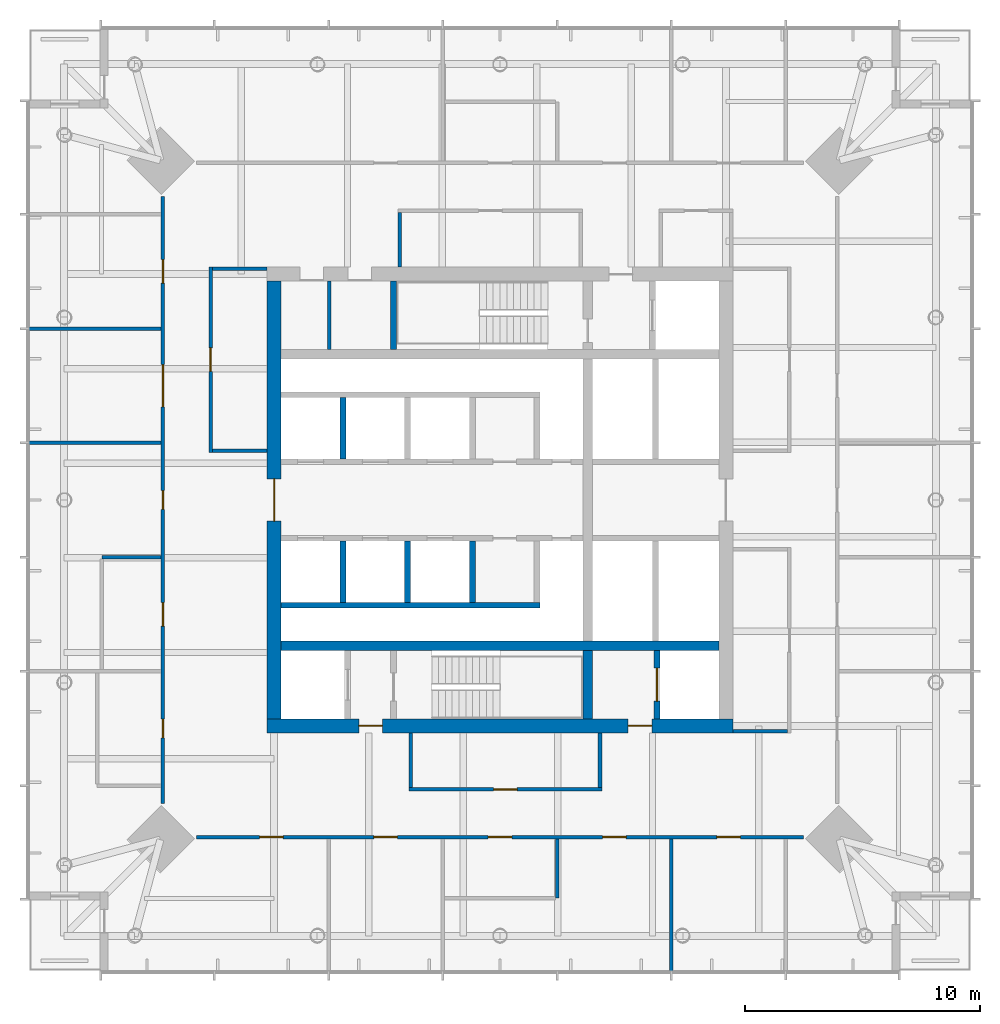
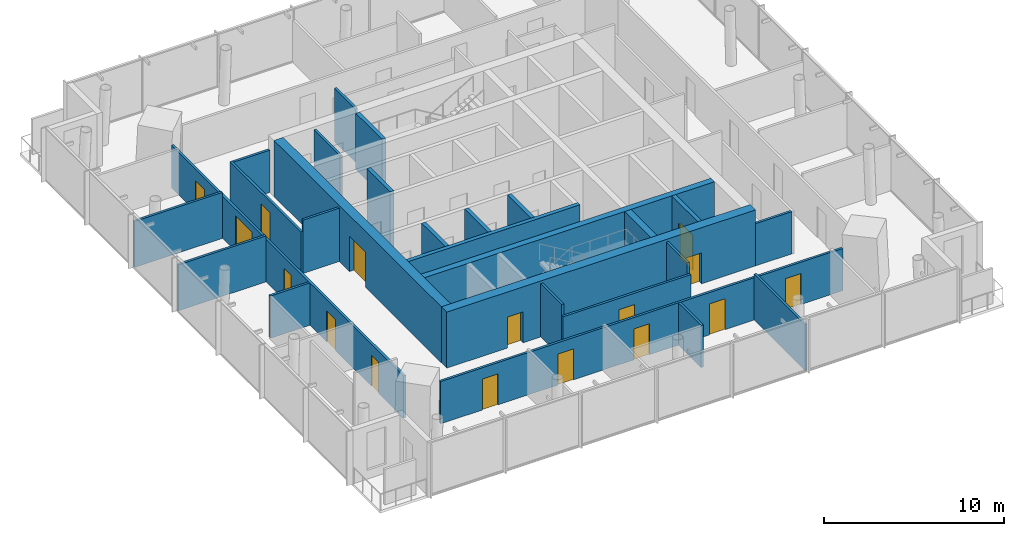
# One storey, part 5 of 9: 27 walls, 16 doors, 16 openings.
"""IFC4 building model written with IfcOpenShell, lengths in metres."""

from ifc_helpers import new_model, si_unit, direction, frame, frame_2d, origin, place, context, subcontext, project, spatial, rectangle, extrude, material, layer, layer_set, type_object, element, fill, save


model = new_model("IFC4")

# Units and contexts
model_context = context("Model", 3, precision=1e-05, world=origin(), true_north=direction((0.0, 1.0)))
body_context = subcontext(model_context, "Body", "Model", "MODEL_VIEW")
ifc_project = project(units=[si_unit("LENGTHUNIT", "METRE"), si_unit("AREAUNIT", "SQUARE_METRE"), si_unit("VOLUMEUNIT", "CUBIC_METRE"), si_unit("PLANEANGLEUNIT", "RADIAN"), si_unit("MASSUNIT", "GRAM", prefix="KILO")], contexts=[model_context])

# Site, building, storey
site_placement = place(None, origin())
site = spatial("IfcSite", under=ifc_project, at=site_placement, CompositionType="ELEMENT")
building_placement = place(site_placement, origin())
building = spatial("IfcBuilding", under=site, at=building_placement, Name="Ostroluk Exchange", CompositionType="ELEMENT")
storey_placement = place(building_placement, frame((0.0, 0.0, 192.0)))
storey = spatial("IfcBuildingStorey", under=building, at=storey_placement, Name="L49", CompositionType="ELEMENT", Elevation=192.0)

# Walls
ifc_material_1 = material(Name="Concrete blockwork", Category="masonry")
ifc_layer_1 = layer(ifc_material_1, 0.14990234375)
ifc_layer_set_1 = layer_set([ifc_layer_1], Name="Blockwork plant room wall 150")
wall_type_1 = type_object("IfcWallType", Name="Blockwork plant room wall 150", PredefinedType="SOLIDWALL", material=ifc_layer_set_1)
wall_1_placement = place(storey_placement, frame((37.74609375, 52.39990234375, 0.0), z_axis=(0.0, 0.0, 1.0), x_axis=(0.0, 1.0, 0.0)))
element("IfcWall", 1, at=wall_1_placement, inside=storey, type_object=wall_type_1, Name="Core room wall", PredefinedType="SOLIDWALL", context=body_context, shape_type="SweptSolid", body=[
    extrude(rectangle(XDim=2.900146484375, YDim=0.14990234375, at=frame_2d((1.4501953125, 0.0))), origin(), (0.0, 0.0, 1.0), 3.6201171875),
])
ifc_material_2 = material(Name="Concrete C50/60", Category="concrete")
ifc_layer_2 = layer(ifc_material_2, 0.39990234375)
ifc_layer_set_2 = layer_set([ifc_layer_2], Name="Core cross wall 400 C50/60")
wall_type_2 = type_object("IfcWallType", Name="Core cross wall 400 C50/60", PredefinedType="SHEAR", material=ifc_layer_set_2)
wall_2_placement = place(storey_placement, frame((35.699951171875, 39.800048828125, 0.0), z_axis=(0.0, 0.0, 1.0), x_axis=(1.0, 0.0, 0.0)))
element("IfcWall", 2, at=wall_2_placement, inside=storey, type_object=wall_type_2, Name="T1 core wall XS", PredefinedType="SHEAR", context=body_context, shape_type="SweptSolid", body=[
    extrude(rectangle(XDim=18.60009765625, YDim=0.39990234375, at=frame_2d((9.300048828125, 0.0))), origin(), (0.0, 0.0, 1.0), 3.800048828125),
])
wall_3_placement = place(storey_placement, frame((48.72998046875, 36.699951171875, 0.0), z_axis=(0.0, 0.0, 1.0), x_axis=(0.0, 1.0, 0.0)))
element("IfcWall", 3, at=wall_3_placement, inside=storey, type_object=wall_type_2, Name="T1 core wall YE1", PredefinedType="SHEAR", context=body_context, shape_type="SweptSolid", body=[
    extrude(rectangle(XDim=2.900146484375, YDim=0.39990234375, at=frame_2d((1.4501953125, 0.0))), origin(), (0.0, 0.0, 1.0), 3.800048828125),
])

# Wall, opening, door
ifc_material_3 = material(Name="Concrete C40/50", Category="concrete")
ifc_layer_3 = layer(ifc_material_3, 0.25)
ifc_layer_set_3 = layer_set([ifc_layer_3], Name="Core shaft wall 250")
wall_type_3 = type_object("IfcWallType", Name="Core shaft wall 250", PredefinedType="SHEAR", material=ifc_layer_set_3)
wall_4_placement = place(storey_placement, frame((51.675048828125, 36.699951171875, 0.0), z_axis=(0.0, 0.0, 1.0), x_axis=(0.0, 1.0, 0.0)))
wall_4 = element("IfcWall", 4, at=wall_4_placement, inside=storey, type_object=wall_type_3, Name="Service lift shaft wall", PredefinedType="SHEAR", context=body_context, shape_type="SweptSolid", body=[
    extrude(rectangle(XDim=2.900146484375, YDim=0.25, at=frame_2d((1.4501953125, 0.0))), origin(), (0.0, 0.0, 1.0), 3.800048828125),
])
opening_1_placement = place(wall_4_placement, frame((0.75, 0.0, 0.0)))
opening_1 = element("IfcOpeningElement", 5, at=opening_1_placement, cuts=wall_4, Name="Opening LD3", PredefinedType="OPENING", context=body_context, shape_type="SweptSolid", body=[
    extrude(rectangle(XDim=1.39990234375, YDim=2.39990234375, at=frame_2d((0.699951171875, 1.199951171875))), frame((0.0, 0.135009765625, 0.0), z_axis=(0.0, -1.0, 0.0), x_axis=(1.0, 0.0, 0.0)), (0.0, 0.0, 1.0), 0.27001953125),
])
ifc_material_4 = material(Name="Stainless steel", Category="steel")
door_type_1 = type_object("IfcDoorType", Name="Goods lift landing door E 60 1400 x 2400", OperationType="DOUBLE_DOOR_SLIDING", PredefinedType="DOOR", material=ifc_material_4)
door_1_placement = place(opening_1_placement, origin())
door_1 = element("IfcDoor", 6, at=door_1_placement, inside=storey, type_object=door_type_1, Name="Lift SL1 landing door", OperationType="DOUBLE_DOOR_SLIDING", OverallHeight=2.39990234375, OverallWidth=1.39990234375, PredefinedType="DOOR", context=body_context, shape_type="SweptSolid", body=[
    extrude(rectangle(XDim=1.39990234375, YDim=2.39990234375, at=frame_2d((0.699951171875, 1.199951171875))), frame((0.0, 0.02490234375, 0.0), z_axis=(0.0, -1.0, 0.0), x_axis=(1.0, 0.0, 0.0)), (0.0, 0.0, 1.0), 0.050048828125),
])
fill(opening_1, door_1)

# Walls
wall_5_placement = place(storey_placement, frame((40.47509765625, 52.39990234375, 0.0), z_axis=(0.0, 0.0, 1.0), x_axis=(0.0, 1.0, 0.0)))
element("IfcWall", 7, at=wall_5_placement, inside=storey, type_object=wall_type_3, Name="Stair shaft wall", PredefinedType="SHEAR", context=body_context, shape_type="SweptSolid", body=[
    extrude(rectangle(XDim=2.900146484375, YDim=0.25, at=frame_2d((1.4501953125, 0.0))), origin(), (0.0, 0.0, 1.0), 3.800048828125),
])
for number, where, z_axis, x_axis, name in (
    (8, (38.324951171875, 47.75, 0.0), (0.0, 0.0, 1.0), (0.0, 1.0, 0.0), "Lift shaft wall"),
    (9, (38.324951171875, 44.25, 0.0), (0.0, 0.0, 1.0), (0.0, -1.0, 0.0), "Lift shaft wall"),
    (10, (41.074951171875, 44.25, 0.0), (0.0, 0.0, 1.0), (0.0, -1.0, 0.0), "Lift shaft wall"),
    (11, (43.824951171875, 44.25, 0.0), (0.0, 0.0, 1.0), (0.0, -1.0, 0.0), "Lift shaft wall"),
):
    element("IfcWall", number, at=place(storey_placement, frame(where, z_axis=z_axis, x_axis=x_axis)), inside=storey, type_object=wall_type_3, Name=name, PredefinedType="SHEAR", context=body_context, shape_type="SweptSolid", body=[
        extrude(rectangle(XDim=2.60009765625, YDim=0.25, at=frame_2d((1.300048828125, 0.0))), origin(), (0.0, 0.0, 1.0), 3.800048828125),
    ])
wall_6_placement = place(storey_placement, frame((35.699951171875, 41.52490234375, 0.0), z_axis=(0.0, 0.0, 1.0), x_axis=(1.0, 0.0, 0.0)))
element("IfcWall", 12, at=wall_6_placement, inside=storey, type_object=wall_type_3, Name="Lift shaft wall", PredefinedType="SHEAR", context=body_context, shape_type="SweptSolid", body=[
    extrude(rectangle(XDim=11.0, YDim=0.25, at=frame_2d((5.5, 0.0))), origin(), (0.0, 0.0, 1.0), 3.800048828125),
])

# Wall, openings, doors
ifc_material_5 = material(Name="Concrete C50/60", Category="concrete")
ifc_layer_4 = layer(ifc_material_5, 0.60009765625)
ifc_layer_set_4 = layer_set([ifc_layer_4], Name="Core wall 600 C50/60")
wall_type_4 = type_object("IfcWallType", Name="Core wall 600 C50/60", PredefinedType="SHEAR", material=ifc_layer_set_4)
wall_7_placement = place(storey_placement, frame((35.10009765625, 36.39990234375, 0.0), z_axis=(0.0, 0.0, 1.0), x_axis=(1.0, 0.0, 0.0)))
wall_7 = element("IfcWall", 13, at=wall_7_placement, inside=storey, type_object=wall_type_4, Name="T1 core wall S", PredefinedType="SHEAR", context=body_context, shape_type="SweptSolid", body=[
    extrude(rectangle(XDim=19.7998046875, YDim=0.60009765625, at=frame_2d((9.89990234375, 0.0))), origin(), (0.0, 0.0, 1.0), 3.800048828125),
])
opening_2_placement = place(wall_7_placement, frame((3.89990234375, 0.0, 0.0)))
opening_2 = element("IfcOpeningElement", 14, at=opening_2_placement, cuts=wall_7, Name="Opening FD60", PredefinedType="OPENING", context=body_context, shape_type="SweptSolid", body=[
    extrude(rectangle(XDim=1.0, YDim=2.10009765625, at=frame_2d((0.5, 1.050048828125))), frame((0.0, 0.31005859375, 0.0), z_axis=(0.0, -1.0, 0.0), x_axis=(1.0, 0.0, 0.0)), (0.0, 0.0, 1.0), 0.6201171875),
])
opening_3_placement = place(wall_7_placement, frame((15.35009765625, 0.0, 0.0)))
opening_3 = element("IfcOpeningElement", 15, at=opening_3_placement, cuts=wall_7, Name="Opening FD60", PredefinedType="OPENING", context=body_context, shape_type="SweptSolid", body=[
    extrude(rectangle(XDim=1.0, YDim=2.10009765625, at=frame_2d((0.5, 1.050048828125))), frame((0.0, 0.31005859375, 0.0), z_axis=(0.0, -1.0, 0.0), x_axis=(1.0, 0.0, 0.0)), (0.0, 0.0, 1.0), 0.6201171875),
])
ifc_material_6 = material(Name="Steel", Category="steel")
door_type_2 = type_object("IfcDoorType", Name="Fire door EI 60 1000 x 2100", OperationType="SINGLE_SWING_LEFT", PredefinedType="DOOR", material=ifc_material_6)
door_2_placement = place(opening_2_placement, origin())
door_2 = element("IfcDoor", 16, at=door_2_placement, inside=storey, type_object=door_type_2, Name="Firefighting lobby door", OperationType="SINGLE_SWING_LEFT", OverallHeight=2.10009765625, OverallWidth=1.0, PredefinedType="DOOR", context=body_context, shape_type="SweptSolid", body=[
    extrude(rectangle(XDim=1.0, YDim=2.10009765625, at=frame_2d((0.5, 1.050048828125))), frame((0.0, 0.02490234375, 0.0), z_axis=(0.0, -1.0, 0.0), x_axis=(1.0, 0.0, 0.0)), (0.0, 0.0, 1.0), 0.050048828125),
])
fill(opening_2, door_2)
door_3_placement = place(opening_3_placement, origin())
door_3 = element("IfcDoor", 17, at=door_3_placement, inside=storey, type_object=door_type_2, Name="Service lobby door", OperationType="SINGLE_SWING_RIGHT", OverallHeight=2.10009765625, OverallWidth=1.0, PredefinedType="DOOR", context=body_context, shape_type="SweptSolid", body=[
    extrude(rectangle(XDim=1.0, YDim=2.10009765625, at=frame_2d((0.5, 1.050048828125))), frame((0.0, 0.02490234375, 0.0), z_axis=(0.0, -1.0, 0.0), x_axis=(1.0, 0.0, 0.0)), (0.0, 0.0, 1.0), 0.050048828125),
])
fill(opening_3, door_3)

# Wall, opening, door
wall_8_placement = place(storey_placement, frame((35.39990234375, 36.699951171875, 0.0), z_axis=(0.0, 0.0, 1.0), x_axis=(0.0, 1.0, 0.0)))
wall_8 = element("IfcWall", 18, at=wall_8_placement, inside=storey, type_object=wall_type_4, Name="T1 core wall W", PredefinedType="SHEAR", context=body_context, shape_type="SweptSolid", body=[
    extrude(rectangle(XDim=18.60009765625, YDim=0.60009765625, at=frame_2d((9.300048828125, 0.0))), origin(), (0.0, 0.0, 1.0), 3.800048828125),
])
opening_4_placement = place(wall_8_placement, frame((8.39990234375, 0.0, 0.0)))
opening_4 = element("IfcOpeningElement", 19, at=opening_4_placement, cuts=wall_8, Name="Opening FD30D", PredefinedType="OPENING", context=body_context, shape_type="SweptSolid", body=[
    extrude(rectangle(XDim=1.800048828125, YDim=2.39990234375, at=frame_2d((0.89990234375, 1.199951171875))), frame((0.0, 0.31005859375, 0.0), z_axis=(0.0, -1.0, 0.0), x_axis=(1.0, 0.0, 0.0)), (0.0, 0.0, 1.0), 0.6201171875),
])
ifc_material_7 = material(Name="Timber", Category="wood")
door_type_3 = type_object("IfcDoorType", Name="Lobby double door EI 30 1800 x 2400", OperationType="DOUBLE_DOOR_SINGLE_SWING", PredefinedType="DOOR", material=ifc_material_7)
door_4_placement = place(opening_4_placement, origin())
door_4 = element("IfcDoor", 20, at=door_4_placement, inside=storey, type_object=door_type_3, Name="Lift lobby doors", OperationType="DOUBLE_DOOR_SINGLE_SWING", OverallHeight=2.39990234375, OverallWidth=1.800048828125, PredefinedType="DOOR", context=body_context, shape_type="SweptSolid", body=[
    extrude(rectangle(XDim=1.800048828125, YDim=2.39990234375, at=frame_2d((0.89990234375, 1.199951171875))), frame((0.0, 0.02490234375, 0.0), z_axis=(0.0, -1.0, 0.0), x_axis=(1.0, 0.0, 0.0)), (0.0, 0.0, 1.0), 0.050048828125),
])
fill(opening_4, door_4)

# Walls
ifc_material_8 = material(Name="Gypsum plasterboard partition", Category="gypsum")
ifc_layer_5 = layer(ifc_material_8, 0.14990234375)
ifc_layer_set_5 = layer_set([ifc_layer_5], Name="Plasterboard partition 150")
wall_type_5 = type_object("IfcWallType", Name="Plasterboard partition 150", PredefinedType="PARTITIONING", material=ifc_layer_set_5)
wall_9_placement = place(storey_placement, frame((54.89990234375, 36.175048828125, 0.0), z_axis=(0.0, 0.0, 1.0), x_axis=(1.0, 0.0, 0.0)))
element("IfcWall", 21, at=wall_9_placement, inside=storey, type_object=wall_type_5, Name="Partition", PredefinedType="PARTITIONING", context=body_context, shape_type="SweptSolid", body=[
    extrude(rectangle(XDim=2.3251953125, YDim=0.14990234375, at=frame_2d((1.16259765625, 0.0))), origin(), (0.0, 0.0, 1.0), 2.866943359375),
])
wall_10_placement = place(storey_placement, frame((40.748046875, 55.89990234375, 0.0), z_axis=(0.0, 0.0, 1.0), x_axis=(0.0, 1.0, 0.0)))
element("IfcWall", 22, at=wall_10_placement, inside=storey, type_object=wall_type_5, Name="Partition", PredefinedType="PARTITIONING", context=body_context, shape_type="SweptSolid", body=[
    extrude(rectangle(XDim=2.3251953125, YDim=0.14990234375, at=frame_2d((1.16259765625, 0.0))), origin(), (0.0, 0.0, 1.0), 3.6201171875),
])

# Wall, opening, door
wall_11_placement = place(storey_placement, frame((32.699951171875, 55.89990234375, 0.0), z_axis=(0.0, 0.0, 1.0), x_axis=(0.0, -1.0, 0.0)))
wall_11 = element("IfcWall", 23, at=wall_11_placement, inside=storey, type_object=wall_type_5, Name="Partition", PredefinedType="PARTITIONING", context=body_context, shape_type="SweptSolid", body=[
    extrude(rectangle(XDim=7.875, YDim=0.14990234375, at=frame_2d((3.9375, 0.0))), origin(), (0.0, 0.0, 1.0), 2.866943359375),
])
opening_5_placement = place(wall_11_placement, frame((3.4375, 0.0, 0.0)))
opening_5 = element("IfcOpeningElement", 24, at=opening_5_placement, cuts=wall_11, Name="Opening D-03", PredefinedType="OPENING", context=body_context, shape_type="SweptSolid", body=[
    extrude(rectangle(XDim=1.0, YDim=2.10009765625, at=frame_2d((0.5, 1.050048828125))), frame((0.0, 0.0849609375, 0.0), z_axis=(0.0, -1.0, 0.0), x_axis=(1.0, 0.0, 0.0)), (0.0, 0.0, 1.0), 0.169921875),
])
ifc_material_9 = material(Name="Timber", Category="wood")
door_type_4 = type_object("IfcDoorType", Name="Internal door 1000 x 2100", OperationType="SINGLE_SWING_LEFT", PredefinedType="DOOR", material=ifc_material_9)
door_5_placement = place(opening_5_placement, origin())
door_5 = element("IfcDoor", 25, at=door_5_placement, inside=storey, type_object=door_type_4, Name="Tea point door", OperationType="SINGLE_SWING_LEFT", OverallHeight=2.10009765625, OverallWidth=1.0, PredefinedType="DOOR", context=body_context, shape_type="SweptSolid", body=[
    extrude(rectangle(XDim=1.0, YDim=2.10009765625, at=frame_2d((0.5, 1.050048828125))), frame((0.0, 0.02490234375, 0.0), z_axis=(0.0, -1.0, 0.0), x_axis=(1.0, 0.0, 0.0)), (0.0, 0.0, 1.0), 0.050048828125),
])
fill(opening_5, door_5)

# Walls
wall_12_placement = place(storey_placement, frame((35.10009765625, 55.824951171875, 0.0), z_axis=(0.0, 0.0, 1.0), x_axis=(-1.0, 0.0, 0.0)))
element("IfcWall", 26, at=wall_12_placement, inside=storey, type_object=wall_type_5, Name="Partition", PredefinedType="PARTITIONING", context=body_context, shape_type="SweptSolid", body=[
    extrude(rectangle(XDim=2.3251953125, YDim=0.14990234375, at=frame_2d((1.16259765625, 0.0))), origin(), (0.0, 0.0, 1.0), 2.866943359375),
])
wall_13_placement = place(storey_placement, frame((35.10009765625, 48.10009765625, 0.0), z_axis=(0.0, 0.0, 1.0), x_axis=(-1.0, 0.0, 0.0)))
element("IfcWall", 27, at=wall_13_placement, inside=storey, type_object=wall_type_5, Name="Partition", PredefinedType="PARTITIONING", context=body_context, shape_type="SweptSolid", body=[
    extrude(rectangle(XDim=2.3251953125, YDim=0.14990234375, at=frame_2d((1.16259765625, 0.0))), origin(), (0.0, 0.0, 1.0), 3.6201171875),
])

# Wall, opening, door
wall_14_placement = place(storey_placement, frame((41.125, 33.699951171875, 0.0), z_axis=(0.0, 0.0, 1.0), x_axis=(1.0, 0.0, 0.0)))
wall_14 = element("IfcWall", 28, at=wall_14_placement, inside=storey, type_object=wall_type_5, Name="Partition", PredefinedType="PARTITIONING", context=body_context, shape_type="SweptSolid", body=[
    extrude(rectangle(XDim=8.199951171875, YDim=0.14990234375, at=frame_2d((4.10009765625, 0.0))), origin(), (0.0, 0.0, 1.0), 2.866943359375),
])
opening_6_placement = place(wall_14_placement, frame((3.60009765625, 0.0, 0.0)))
opening_6 = element("IfcOpeningElement", 29, at=opening_6_placement, cuts=wall_14, Name="Opening D-03", PredefinedType="OPENING", context=body_context, shape_type="SweptSolid", body=[
    extrude(rectangle(XDim=1.0, YDim=2.10009765625, at=frame_2d((0.5, 1.050048828125))), frame((0.0, 0.0849609375, 0.0), z_axis=(0.0, -1.0, 0.0), x_axis=(1.0, 0.0, 0.0)), (0.0, 0.0, 1.0), 0.169921875),
])
door_6_placement = place(opening_6_placement, origin())
door_6 = element("IfcDoor", 30, at=door_6_placement, inside=storey, type_object=door_type_4, Name="Tea point door", OperationType="SINGLE_SWING_LEFT", OverallHeight=2.10009765625, OverallWidth=1.0, PredefinedType="DOOR", context=body_context, shape_type="SweptSolid", body=[
    extrude(rectangle(XDim=1.0, YDim=2.10009765625, at=frame_2d((0.5, 1.050048828125))), frame((0.0, 0.02490234375, 0.0), z_axis=(0.0, -1.0, 0.0), x_axis=(1.0, 0.0, 0.0)), (0.0, 0.0, 1.0), 0.050048828125),
])
fill(opening_6, door_6)

# Walls
for number, where, z_axis, x_axis, name in (
    (31, (41.199951171875, 36.10009765625, 0.0), (0.0, 0.0, 1.0), (0.0, -1.0, 0.0), "Partition"),
    (32, (49.25, 36.10009765625, 0.0), (0.0, 0.0, 1.0), (0.0, -1.0, 0.0), "Partition"),
):
    element("IfcWall", number, at=place(storey_placement, frame(where, z_axis=z_axis, x_axis=x_axis)), inside=storey, type_object=wall_type_5, Name=name, PredefinedType="PARTITIONING", context=body_context, shape_type="SweptSolid", body=[
        extrude(rectangle(XDim=2.3251953125, YDim=0.14990234375, at=frame_2d((1.16259765625, 0.0))), origin(), (0.0, 0.0, 1.0), 3.6201171875),
    ])

# Wall, openings, doors
wall_15_placement = place(storey_placement, frame((30.675048828125, 58.900146484375, 0.0), z_axis=(0.0, 0.0, 1.0), x_axis=(0.0, -1.0, 0.0)))
wall_15 = element("IfcWall", 33, at=wall_15_placement, inside=storey, type_object=wall_type_5, Name="Partition", PredefinedType="PARTITIONING", context=body_context, shape_type="SweptSolid", body=[
    extrude(rectangle(XDim=25.80029296875, YDim=0.14990234375, at=frame_2d((12.900146484375, 0.0))), origin(), (0.0, 0.0, 1.0), 2.866943359375),
])
opening_7_placement = place(wall_15_placement, frame((2.685791015625, 0.0, 0.0)))
opening_7 = element("IfcOpeningElement", 34, at=opening_7_placement, cuts=wall_15, Name="Opening D-03", PredefinedType="OPENING", context=body_context, shape_type="SweptSolid", body=[
    extrude(rectangle(XDim=1.0, YDim=2.10009765625, at=frame_2d((0.5, 1.050048828125))), frame((0.0, 0.0849609375, 0.0), z_axis=(0.0, -1.0, 0.0), x_axis=(1.0, 0.0, 0.0)), (0.0, 0.0, 1.0), 0.169921875),
])
opening_8_placement = place(wall_15_placement, frame((7.142822265625, 0.0, 0.0)))
opening_8 = element("IfcOpeningElement", 35, at=opening_8_placement, cuts=wall_15, Name="Opening D-04", PredefinedType="OPENING", context=body_context, shape_type="SweptSolid", body=[
    extrude(rectangle(XDim=1.800048828125, YDim=2.39990234375, at=frame_2d((0.89990234375, 1.199951171875))), frame((0.0, 0.0849609375, 0.0), z_axis=(0.0, -1.0, 0.0), x_axis=(1.0, 0.0, 0.0)), (0.0, 0.0, 1.0), 0.169921875),
])
opening_9_placement = place(wall_15_placement, frame((12.5, 0.0, 0.0)))
opening_9 = element("IfcOpeningElement", 36, at=opening_9_placement, cuts=wall_15, Name="Opening D-06", PredefinedType="OPENING", context=body_context, shape_type="SweptSolid", body=[
    extrude(rectangle(XDim=0.800048828125, YDim=2.10009765625, at=frame_2d((0.39990234375, 1.050048828125))), frame((0.0, 0.0849609375, 0.0), z_axis=(0.0, -1.0, 0.0), x_axis=(1.0, 0.0, 0.0)), (0.0, 0.0, 1.0), 0.169921875),
])
opening_10_placement = place(wall_15_placement, frame((17.25732421875, 0.0, 0.0)))
opening_10 = element("IfcOpeningElement", 37, at=opening_10_placement, cuts=wall_15, Name="Opening D-03", PredefinedType="OPENING", context=body_context, shape_type="SweptSolid", body=[
    extrude(rectangle(XDim=1.0, YDim=2.10009765625, at=frame_2d((0.5, 1.050048828125))), frame((0.0, 0.0849609375, 0.0), z_axis=(0.0, -1.0, 0.0), x_axis=(1.0, 0.0, 0.0)), (0.0, 0.0, 1.0), 0.169921875),
])
opening_11_placement = place(wall_15_placement, frame((22.21435546875, 0.0, 0.0)))
opening_11 = element("IfcOpeningElement", 38, at=opening_11_placement, cuts=wall_15, Name="Opening D-06", PredefinedType="OPENING", context=body_context, shape_type="SweptSolid", body=[
    extrude(rectangle(XDim=0.800048828125, YDim=2.10009765625, at=frame_2d((0.39990234375, 1.050048828125))), frame((0.0, 0.0849609375, 0.0), z_axis=(0.0, -1.0, 0.0), x_axis=(1.0, 0.0, 0.0)), (0.0, 0.0, 1.0), 0.169921875),
])
ifc_material_10 = material(Name="Timber", Category="wood")
door_type_5 = type_object("IfcDoorType", Name="Double door 1800 x 2400", OperationType="DOUBLE_DOOR_SINGLE_SWING", PredefinedType="DOOR", material=ifc_material_10)
door_7_placement = place(opening_8_placement, origin())
door_7 = element("IfcDoor", 39, at=door_7_placement, inside=storey, type_object=door_type_5, Name="Boardroom door", OperationType="DOUBLE_DOOR_SINGLE_SWING", OverallHeight=2.39990234375, OverallWidth=1.800048828125, PredefinedType="DOOR", context=body_context, shape_type="SweptSolid", body=[
    extrude(rectangle(XDim=1.800048828125, YDim=2.39990234375, at=frame_2d((0.89990234375, 1.199951171875))), frame((0.0, 0.02490234375, 0.0), z_axis=(0.0, -1.0, 0.0), x_axis=(1.0, 0.0, 0.0)), (0.0, 0.0, 1.0), 0.050048828125),
])
fill(opening_8, door_7)
door_8_placement = place(opening_7_placement, origin())
door_8 = element("IfcDoor", 40, at=door_8_placement, inside=storey, type_object=door_type_4, Name="Office door", OperationType="SINGLE_SWING_LEFT", OverallHeight=2.10009765625, OverallWidth=1.0, PredefinedType="DOOR", context=body_context, shape_type="SweptSolid", body=[
    extrude(rectangle(XDim=1.0, YDim=2.10009765625, at=frame_2d((0.5, 1.050048828125))), frame((0.0, 0.02490234375, 0.0), z_axis=(0.0, -1.0, 0.0), x_axis=(1.0, 0.0, 0.0)), (0.0, 0.0, 1.0), 0.050048828125),
])
fill(opening_7, door_8)
door_9_placement = place(opening_10_placement, origin())
door_9 = element("IfcDoor", 41, at=door_9_placement, inside=storey, type_object=door_type_4, Name="Accessible WC door", OperationType="SINGLE_SWING_RIGHT", OverallHeight=2.10009765625, OverallWidth=1.0, PredefinedType="DOOR", context=body_context, shape_type="SweptSolid", body=[
    extrude(rectangle(XDim=1.0, YDim=2.10009765625, at=frame_2d((0.5, 1.050048828125))), frame((0.0, 0.02490234375, 0.0), z_axis=(0.0, -1.0, 0.0), x_axis=(1.0, 0.0, 0.0)), (0.0, 0.0, 1.0), 0.050048828125),
])
fill(opening_10, door_9)
ifc_material_11 = material(Name="Timber", Category="wood")
door_type_6 = type_object("IfcDoorType", Name="Toilet door 800 x 2100", OperationType="SINGLE_SWING_LEFT", PredefinedType="DOOR", material=ifc_material_11)
door_10_placement = place(opening_9_placement, origin())
door_10 = element("IfcDoor", 42, at=door_10_placement, inside=storey, type_object=door_type_6, Name="WC female door", OperationType="SINGLE_SWING_LEFT", OverallHeight=2.10009765625, OverallWidth=0.800048828125, PredefinedType="DOOR", context=body_context, shape_type="SweptSolid", body=[
    extrude(rectangle(XDim=0.800048828125, YDim=2.10009765625, at=frame_2d((0.39990234375, 1.050048828125))), frame((0.0, 0.02490234375, 0.0), z_axis=(0.0, -1.0, 0.0), x_axis=(1.0, 0.0, 0.0)), (0.0, 0.0, 1.0), 0.050048828125),
])
fill(opening_9, door_10)
door_11_placement = place(opening_11_placement, origin())
door_11 = element("IfcDoor", 43, at=door_11_placement, inside=storey, type_object=door_type_6, Name="WC male door", OperationType="SINGLE_SWING_RIGHT", OverallHeight=2.10009765625, OverallWidth=0.800048828125, PredefinedType="DOOR", context=body_context, shape_type="SweptSolid", body=[
    extrude(rectangle(XDim=0.800048828125, YDim=2.10009765625, at=frame_2d((0.39990234375, 1.050048828125))), frame((0.0, 0.02490234375, 0.0), z_axis=(0.0, -1.0, 0.0), x_axis=(1.0, 0.0, 0.0)), (0.0, 0.0, 1.0), 0.050048828125),
])
fill(opening_11, door_11)

# Walls
for number, where, z_axis, x_axis, name in (
    (44, (30.60009765625, 53.28564453125, 0.0), (0.0, 0.0, 1.0), (-1.0, 0.0, 0.0), "Partition"),
    (45, (30.60009765625, 48.428466796875, 0.0), (0.0, 0.0, 1.0), (-1.0, 0.0, 0.0), "Partition"),
):
    element("IfcWall", number, at=place(storey_placement, frame(where, z_axis=z_axis, x_axis=x_axis)), inside=storey, type_object=wall_type_5, Name=name, PredefinedType="PARTITIONING", context=body_context, shape_type="SweptSolid", body=[
        extrude(rectangle(XDim=5.64013671875, YDim=0.14990234375, at=frame_2d((2.820068359375, 0.0))), origin(), (0.0, 0.0, 1.0), 3.1201171875),
    ])
wall_16_placement = place(storey_placement, frame((30.60009765625, 43.571533203125, 0.0), z_axis=(0.0, 0.0, 1.0), x_axis=(-1.0, 0.0, 0.0)))
element("IfcWall", 46, at=wall_16_placement, inside=storey, type_object=wall_type_5, Name="Partition", PredefinedType="PARTITIONING", context=body_context, shape_type="SweptSolid", body=[
    extrude(rectangle(XDim=2.525146484375, YDim=0.14990234375, at=frame_2d((1.2626953125, 0.0))), origin(), (0.0, 0.0, 1.0), 2.866943359375),
])

# Wall, openings, doors
wall_17_placement = place(storey_placement, frame((32.099853515625, 31.675048828125, 0.0), z_axis=(0.0, 0.0, 1.0), x_axis=(1.0, 0.0, 0.0)))
wall_17 = element("IfcWall", 47, at=wall_17_placement, inside=storey, type_object=wall_type_5, Name="Partition", PredefinedType="PARTITIONING", context=body_context, shape_type="SweptSolid", body=[
    extrude(rectangle(XDim=25.80029296875, YDim=0.14990234375, at=frame_2d((12.900146484375, 0.0))), origin(), (0.0, 0.0, 1.0), 2.866943359375),
])
opening_12_placement = place(wall_17_placement, frame((2.685791015625, 0.0, 0.0)))
opening_12 = element("IfcOpeningElement", 48, at=opening_12_placement, cuts=wall_17, Name="Opening D-03", PredefinedType="OPENING", context=body_context, shape_type="SweptSolid", body=[
    extrude(rectangle(XDim=1.0, YDim=2.10009765625, at=frame_2d((0.5, 1.050048828125))), frame((0.0, 0.0849609375, 0.0), z_axis=(0.0, -1.0, 0.0), x_axis=(1.0, 0.0, 0.0)), (0.0, 0.0, 1.0), 0.169921875),
])
opening_13_placement = place(wall_17_placement, frame((7.54296875, 0.0, 0.0)))
opening_13 = element("IfcOpeningElement", 49, at=opening_13_placement, cuts=wall_17, Name="Opening D-03", PredefinedType="OPENING", context=body_context, shape_type="SweptSolid", body=[
    extrude(rectangle(XDim=1.0, YDim=2.10009765625, at=frame_2d((0.5, 1.050048828125))), frame((0.0, 0.0849609375, 0.0), z_axis=(0.0, -1.0, 0.0), x_axis=(1.0, 0.0, 0.0)), (0.0, 0.0, 1.0), 0.169921875),
])
opening_14_placement = place(wall_17_placement, frame((12.400146484375, 0.0, 0.0)))
opening_14 = element("IfcOpeningElement", 50, at=opening_14_placement, cuts=wall_17, Name="Opening D-03", PredefinedType="OPENING", context=body_context, shape_type="SweptSolid", body=[
    extrude(rectangle(XDim=1.0, YDim=2.10009765625, at=frame_2d((0.5, 1.050048828125))), frame((0.0, 0.0849609375, 0.0), z_axis=(0.0, -1.0, 0.0), x_axis=(1.0, 0.0, 0.0)), (0.0, 0.0, 1.0), 0.169921875),
])
opening_15_placement = place(wall_17_placement, frame((17.25732421875, 0.0, 0.0)))
opening_15 = element("IfcOpeningElement", 51, at=opening_15_placement, cuts=wall_17, Name="Opening D-03", PredefinedType="OPENING", context=body_context, shape_type="SweptSolid", body=[
    extrude(rectangle(XDim=1.0, YDim=2.10009765625, at=frame_2d((0.5, 1.050048828125))), frame((0.0, 0.0849609375, 0.0), z_axis=(0.0, -1.0, 0.0), x_axis=(1.0, 0.0, 0.0)), (0.0, 0.0, 1.0), 0.169921875),
])
opening_16_placement = place(wall_17_placement, frame((22.1142578125, 0.0, 0.0)))
opening_16 = element("IfcOpeningElement", 52, at=opening_16_placement, cuts=wall_17, Name="Opening D-03", PredefinedType="OPENING", context=body_context, shape_type="SweptSolid", body=[
    extrude(rectangle(XDim=1.0, YDim=2.10009765625, at=frame_2d((0.5, 1.050048828125))), frame((0.0, 0.0849609375, 0.0), z_axis=(0.0, -1.0, 0.0), x_axis=(1.0, 0.0, 0.0)), (0.0, 0.0, 1.0), 0.169921875),
])
door_12_placement = place(opening_12_placement, origin())
door_12 = element("IfcDoor", 53, at=door_12_placement, inside=storey, type_object=door_type_4, Name="Office suite door", OperationType="SINGLE_SWING_LEFT", OverallHeight=2.10009765625, OverallWidth=1.0, PredefinedType="DOOR", context=body_context, shape_type="SweptSolid", body=[
    extrude(rectangle(XDim=1.0, YDim=2.10009765625, at=frame_2d((0.5, 1.050048828125))), frame((0.0, 0.02490234375, 0.0), z_axis=(0.0, -1.0, 0.0), x_axis=(1.0, 0.0, 0.0)), (0.0, 0.0, 1.0), 0.050048828125),
])
fill(opening_12, door_12)
door_13_placement = place(opening_13_placement, origin())
door_13 = element("IfcDoor", 54, at=door_13_placement, inside=storey, type_object=door_type_4, Name="Meeting room door", OperationType="SINGLE_SWING_LEFT", OverallHeight=2.10009765625, OverallWidth=1.0, PredefinedType="DOOR", context=body_context, shape_type="SweptSolid", body=[
    extrude(rectangle(XDim=1.0, YDim=2.10009765625, at=frame_2d((0.5, 1.050048828125))), frame((0.0, 0.02490234375, 0.0), z_axis=(0.0, -1.0, 0.0), x_axis=(1.0, 0.0, 0.0)), (0.0, 0.0, 1.0), 0.050048828125),
])
fill(opening_13, door_13)
door_14_placement = place(opening_14_placement, origin())
door_14 = element("IfcDoor", 55, at=door_14_placement, inside=storey, type_object=door_type_4, Name="Pantry door", OperationType="SINGLE_SWING_LEFT", OverallHeight=2.10009765625, OverallWidth=1.0, PredefinedType="DOOR", context=body_context, shape_type="SweptSolid", body=[
    extrude(rectangle(XDim=1.0, YDim=2.10009765625, at=frame_2d((0.5, 1.050048828125))), frame((0.0, 0.02490234375, 0.0), z_axis=(0.0, -1.0, 0.0), x_axis=(1.0, 0.0, 0.0)), (0.0, 0.0, 1.0), 0.050048828125),
])
fill(opening_14, door_14)
door_15_placement = place(opening_15_placement, origin())
door_15 = element("IfcDoor", 56, at=door_15_placement, inside=storey, type_object=door_type_4, Name="Office door", OperationType="SINGLE_SWING_RIGHT", OverallHeight=2.10009765625, OverallWidth=1.0, PredefinedType="DOOR", context=body_context, shape_type="SweptSolid", body=[
    extrude(rectangle(XDim=1.0, YDim=2.10009765625, at=frame_2d((0.5, 1.050048828125))), frame((0.0, 0.02490234375, 0.0), z_axis=(0.0, -1.0, 0.0), x_axis=(1.0, 0.0, 0.0)), (0.0, 0.0, 1.0), 0.050048828125),
])
fill(opening_15, door_15)
door_16_placement = place(opening_16_placement, origin())
door_16 = element("IfcDoor", 57, at=door_16_placement, inside=storey, type_object=door_type_4, Name="Office door", OperationType="SINGLE_SWING_RIGHT", OverallHeight=2.10009765625, OverallWidth=1.0, PredefinedType="DOOR", context=body_context, shape_type="SweptSolid", body=[
    extrude(rectangle(XDim=1.0, YDim=2.10009765625, at=frame_2d((0.5, 1.050048828125))), frame((0.0, 0.02490234375, 0.0), z_axis=(0.0, -1.0, 0.0), x_axis=(1.0, 0.0, 0.0)), (0.0, 0.0, 1.0), 0.050048828125),
])
fill(opening_16, door_16)

# Walls
wall_18_placement = place(storey_placement, frame((47.428466796875, 31.60009765625, 0.0), z_axis=(0.0, 0.0, 1.0), x_axis=(0.0, -1.0, 0.0)))
element("IfcWall", 58, at=wall_18_placement, inside=storey, type_object=wall_type_5, Name="Partition", PredefinedType="PARTITIONING", context=body_context, shape_type="SweptSolid", body=[
    extrude(rectangle(XDim=2.525146484375, YDim=0.14990234375, at=frame_2d((1.2626953125, 0.0))), origin(), (0.0, 0.0, 1.0), 2.866943359375),
])
wall_19_placement = place(storey_placement, frame((52.28564453125, 31.60009765625, 0.0), z_axis=(0.0, 0.0, 1.0), x_axis=(0.0, -1.0, 0.0)))
element("IfcWall", 59, at=wall_19_placement, inside=storey, type_object=wall_type_5, Name="Partition", PredefinedType="PARTITIONING", context=body_context, shape_type="SweptSolid", body=[
    extrude(rectangle(XDim=5.64013671875, YDim=0.14990234375, at=frame_2d((2.820068359375, 0.0))), origin(), (0.0, 0.0, 1.0), 3.1201171875),
])

save(model, "model.ifc")
